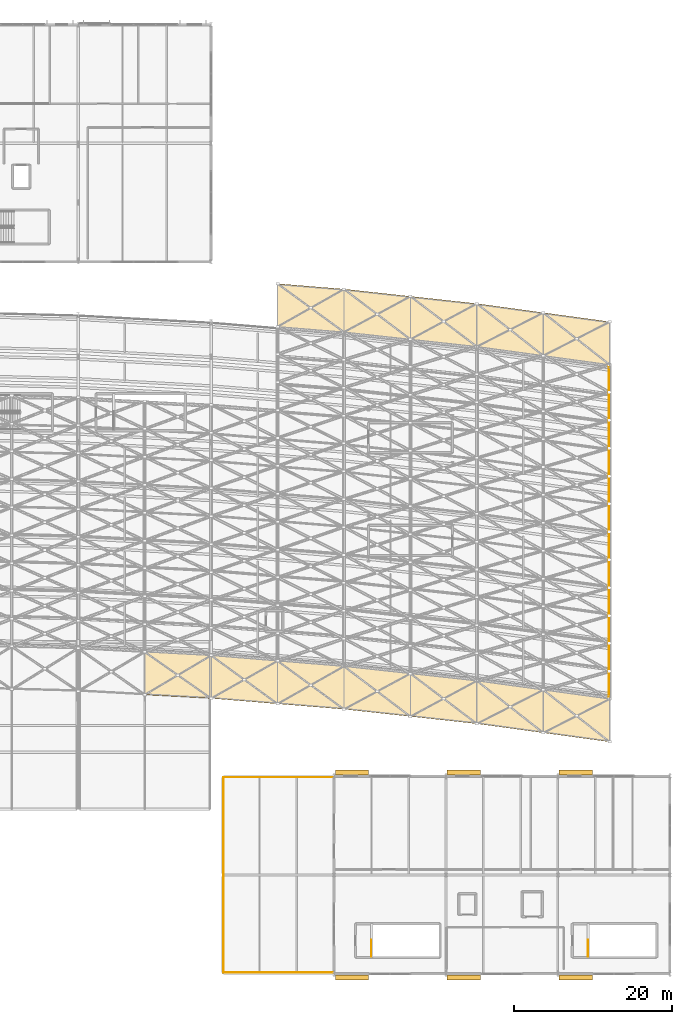
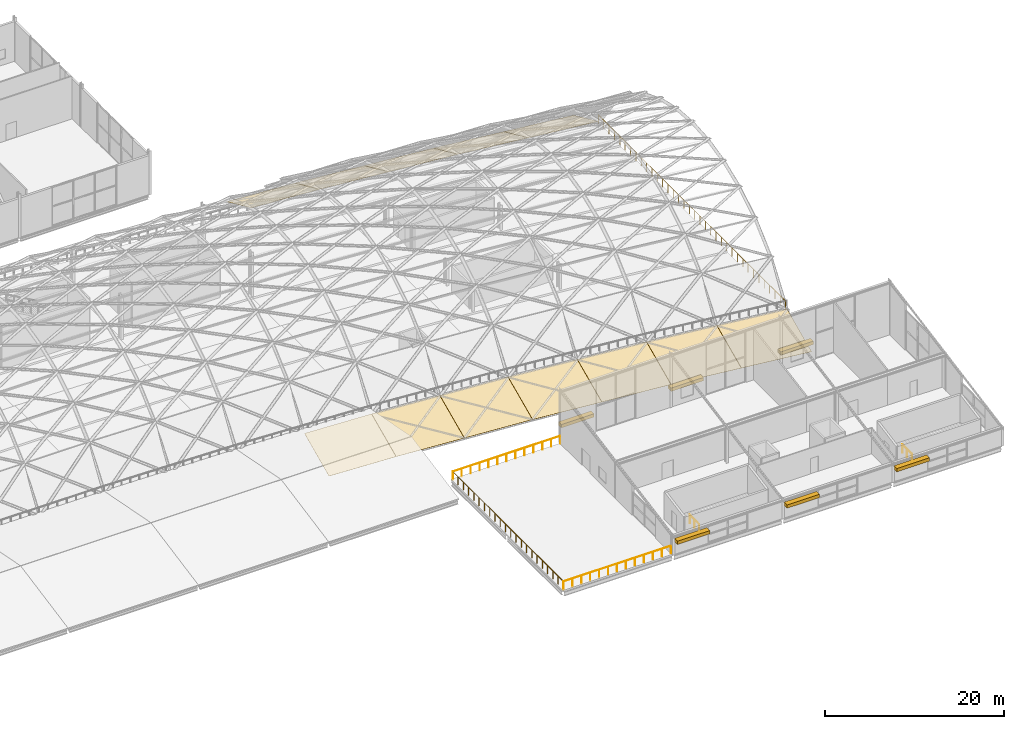
# One storey, part 99 of 100: 12 coverings, 6 railings, 6 shading devices, 4 elements without a shape of their own.
"""IFC4 building model written with IfcOpenShell, lengths in metres."""

from ifc_helpers import new_model, si_unit, direction, frame, origin, origin_2d, place, context, subcontext, project, spatial, polyline, rectangle, circle, outline, extrude, material, layer, layer_set, type_object, element, aggregate, save


model = new_model("IFC4")

# Units and contexts
model_context = context("Model", 3, precision=1e-05, world=origin(), true_north=direction((0.0, 1.0)))
body_context = subcontext(model_context, "Body", "Model", "MODEL_VIEW")
ifc_project = project(units=[si_unit("LENGTHUNIT", "METRE"), si_unit("AREAUNIT", "SQUARE_METRE"), si_unit("VOLUMEUNIT", "CUBIC_METRE"), si_unit("PLANEANGLEUNIT", "RADIAN"), si_unit("MASSUNIT", "GRAM", prefix="KILO")], contexts=[model_context])

# Site, building, storey
site_placement = place(None, origin())
site = spatial("IfcSite", under=ifc_project, at=site_placement, CompositionType="ELEMENT")
building_placement = place(site_placement, origin())
building = spatial("IfcBuilding", under=site, at=building_placement, Name="Kimbaza Rail Terminus", CompositionType="ELEMENT")
storey_placement = place(building_placement, frame((0.0, 0.0, 10.800048828125)))
storey = spatial("IfcBuildingStorey", under=building, at=storey_placement, Name="L02", CompositionType="ELEMENT", Elevation=10.800048828125)

# Roof, covering
ifc_material_1 = material(Name="White painted steel S355", Category="steel")
roof_type = type_object("IfcRoofType", Name="ARC-RF-BARREL", PredefinedType="BARREL_ROOF", material=ifc_material_1)
roof_1_placement = place(storey_placement, origin())
roof_1 = element("IfcRoof", 1, at=roof_1_placement, inside=storey, type_object=roof_type, Name="Train Shed Woven Barrel Vault Roof Bay 08", PredefinedType="BARREL_ROOF")
ifc_material_2 = material(Name="Pearl-white fluoropolymer standing-seam roofing", Category="aluminium")
ifc_layer = layer(ifc_material_2, 0.02490234375)
ifc_layer_set = layer_set([ifc_layer], Name="Pearl-white fluoropolymer standing-seam roofing")
covering_type = type_object("IfcCoveringType", Name="ARC-COV-VAULT", PredefinedType="ROOFING", material=ifc_layer_set)
covering_1_placement = place(storey_placement, frame((147.60498046875, 48.27587890625, -2.377197265625), z_axis=(-0.022474973821, -0.413698420108, 0.910136524238), x_axis=(0.998527549756, -0.054246957324, 0.0)))
covering_1 = element("IfcCovering", 2, at=covering_1_placement, type_object=covering_type, Name="Vault Standing-Seam Eave Roofing Bay 08", PredefinedType="ROOFING", context=body_context, shape_type="SweptSolid", body=[
    extrude(outline(polyline([(0.0, 0.0), (8.402508995172782, -5.551115123125783e-17), (8.104150729891217, 6.034151335982401), (-0.2983582652815654, 6.034151335982401), (0.0, 0.0)])), origin(), (0.0, 0.0, -1.0), 0.02490234375),
])
aggregate(roof_1, [covering_1])

# Roof, coverings
roof_2_placement = place(storey_placement, origin())
roof_2 = element("IfcRoof", 3, at=roof_2_placement, inside=storey, type_object=roof_type, Name="Train Shed Woven Barrel Vault Roof Bay 09", PredefinedType="BARREL_ROOF")
covering_2_placement = place(storey_placement, frame((156.0048828125, 47.820068359375, -2.377197265625), z_axis=(-0.033779955902, -0.413566784659, 0.90984692625), x_axis=(0.996680823009, -0.081408458074, 0.0)))
covering_2 = element("IfcCovering", 4, at=covering_2_placement, type_object=covering_type, Name="Vault Standing-Seam Eave Roofing Bay 09", PredefinedType="ROOFING", context=body_context, shape_type="SweptSolid", body=[
    extrude(outline(polyline([(0.0, 0.0), (8.418077808921636, -1.1102230246251565e-16), (7.970331289512195, 6.0249085515347645), (-0.4477465194094392, 6.024908551534765), (0.0, 0.0)])), origin(), (0.0, 0.0, -1.0), 0.02490234375),
])
covering_3_placement = place(storey_placement, frame((164.405029296875, 47.134765625, -2.377197265625), z_axis=(-0.033768916948, -0.413566939027, 0.909847265859), x_axis=(0.996682983687, -0.081382000647, 0.0)))
covering_3 = element("IfcCovering", 5, at=covering_3_placement, type_object=covering_type, Name="Vault Standing-Seam Eave Roofing Bay 09", PredefinedType="ROOFING", context=body_context, shape_type="SweptSolid", body=[
    extrude(outline(polyline([(0.0, 0.0), (8.417814606496611, 0.0), (7.97021360293957, 6.024919363909756), (-0.44760100355704097, 6.024919363909756), (0.0, 0.0)])), origin(), (0.0, 0.0, -1.0), 0.02490234375),
])
covering_4_placement = place(storey_placement, frame((164.405029296875, 94.757080078125, 0.146484375), z_axis=(0.033768916948, 0.413566939027, 0.909847265859), x_axis=(0.996682983687, -0.081382000647, 0.0)))
covering_4 = element("IfcCovering", 6, at=covering_4_placement, type_object=covering_type, Name="Vault Standing-Seam Eave Roofing Bay 09", PredefinedType="ROOFING", context=body_context, shape_type="SweptSolid", body=[
    extrude(outline(polyline([(0.0, 0.0), (8.417814606496611, 0.0), (7.97021360293957, 6.024919363909756), (-0.44760100355704097, 6.024919363909756), (0.0, 0.0)])), origin(), (0.0, 0.0, -1.0), 0.02490234375),
])
aggregate(roof_2, [covering_2, covering_3, covering_4])

roof_3_placement = place(storey_placement, origin())
roof_3 = element("IfcRoof", 7, at=roof_3_placement, inside=storey, type_object=roof_type, Name="Train Shed Woven Barrel Vault Roof Bay 10", PredefinedType="BARREL_ROOF")
covering_5_placement = place(storey_placement, frame((172.804931640625, 46.44970703125, -2.377197265625), z_axis=(-0.045132008627, -0.413381292239, 0.909438842927), x_axis=(0.994092874093, -0.108532749334, 0.0)))
covering_5 = element("IfcCovering", 8, at=covering_5_placement, type_object=covering_type, Name="Vault Standing-Seam Eave Roofing Bay 10", PredefinedType="ROOFING", context=body_context, shape_type="SweptSolid", body=[
    extrude(outline(polyline([(0.0, 0.0), (8.439992818987536, -1.1102230246251565e-16), (7.8430626976530995, 6.011960947165546), (-0.5969301213344362, 6.011960947165546), (0.0, 0.0)])), origin(), (0.0, 0.0, -1.0), 0.02490234375),
])
covering_6_placement = place(storey_placement, frame((172.804931640625, 94.072021484375, 0.146484375), z_axis=(0.045132008627, 0.413381292239, 0.909438842927), x_axis=(0.994092874093, -0.108532749334, 0.0)))
covering_6 = element("IfcCovering", 9, at=covering_6_placement, type_object=covering_type, Name="Vault Standing-Seam Eave Roofing Bay 10", PredefinedType="ROOFING", context=body_context, shape_type="SweptSolid", body=[
    extrude(outline(polyline([(0.0, 0.0), (8.439992818987536, -1.1102230246251565e-16), (7.8430626976530995, 6.011960947165546), (-0.5969301213344362, 6.011960947165546), (0.0, 0.0)])), origin(), (0.0, 0.0, -1.0), 0.02490234375),
])
covering_7_placement = place(storey_placement, frame((181.205078125, 45.53369140625, -2.377197265625), z_axis=(-0.045121314623, -0.413381492138, 0.909439282704), x_axis=(0.99409565406, -0.108507283526, 0.0)))
covering_7 = element("IfcCovering", 10, at=covering_7_placement, type_object=covering_type, Name="Vault Standing-Seam Eave Roofing Bay 10", PredefinedType="ROOFING", context=body_context, shape_type="SweptSolid", body=[
    extrude(outline(polyline([(0.0, 0.0), (8.439723626047915, 0.0), (7.842933566653391, 6.011974852326637), (-0.5967900593945238, 6.011974852326636), (0.0, 0.0)])), origin(), (0.0, 0.0, -1.0), 0.02490234375),
])
covering_8_placement = place(storey_placement, frame((181.205078125, 93.156005859375, 0.146484375), z_axis=(0.045133319265, 0.413381267737, 0.909438789021), x_axis=(0.994092533341, -0.108535870365, 0.0)))
covering_8 = element("IfcCovering", 11, at=covering_8_placement, type_object=covering_type, Name="Vault Standing-Seam Eave Roofing Bay 10", PredefinedType="ROOFING", context=body_context, shape_type="SweptSolid", body=[
    extrude(outline(polyline([(0.0, 0.0), (8.43975012057354, 0.0), (7.842802833565757, 6.0119592427539), (-0.5969472870077849, 6.0119592427539), (0.0, 0.0)])), origin(), (0.0, 0.0, -1.0), 0.02490234375),
])
aggregate(roof_3, [covering_5, covering_6, covering_7, covering_8])

roof_4_placement = place(storey_placement, origin())
roof_4 = element("IfcRoof", 12, at=roof_4_placement, inside=storey, type_object=roof_type, Name="Train Shed Woven Barrel Vault Roof Bay 11", PredefinedType="BARREL_ROOF")
covering_9_placement = place(storey_placement, frame((189.60498046875, 44.617919921875, -2.377197265625), z_axis=(-0.056574455455, -0.413140190432, 0.908908418951), x_axis=(0.990753872834, -0.135671527834, 0.0)))
covering_9 = element("IfcCovering", 13, at=covering_9_placement, type_object=covering_type, Name="Vault Standing-Seam Eave Roofing Bay 11", PredefinedType="ROOFING", context=body_context, shape_type="SweptSolid", body=[
    extrude(outline(polyline([(0.0, 0.0), (8.468436963816755, 0.0), (7.722243560727767, 5.995264414951728), (-0.7461934030889878, 5.995264414951728), (0.0, 0.0)])), origin(), (0.0, 0.0, -1.0), 0.02490234375),
])
covering_10_placement = place(storey_placement, frame((189.60498046875, 92.239990234375, 0.146484375), z_axis=(0.056562472149, 0.41314047139, 0.908909037057), x_axis=(0.990757747619, -0.135643228847, 0.0)))
covering_10 = element("IfcCovering", 14, at=covering_10_placement, type_object=covering_type, Name="Vault Standing-Seam Eave Roofing Bay 11", PredefinedType="ROOFING", context=body_context, shape_type="SweptSolid", body=[
    extrude(outline(polyline([(0.0, 0.0), (8.468403844339614, 2.220446049250313e-16), (7.722366085682136, 5.995283784997782), (-0.7460377586574786, 5.995283784997782), (0.0, 0.0)])), origin(), (0.0, 0.0, -1.0), 0.02490234375),
])
covering_11_placement = place(storey_placement, frame((198.0048828125, 43.468994140625, -2.377197265625), z_axis=(-0.056562472149, -0.41314047139, 0.908909037057), x_axis=(0.990757747619, -0.135643228847, 0.0)))
covering_11 = element("IfcCovering", 15, at=covering_11_placement, type_object=covering_type, Name="Vault Standing-Seam Eave Roofing Bay 11", PredefinedType="ROOFING", context=body_context, shape_type="SweptSolid", body=[
    extrude(outline(polyline([(0.0, 0.0), (8.468403844339614, 2.220446049250313e-16), (7.722366085682136, 5.995283784997782), (-0.7460377586574786, 5.995283784997782), (0.0, 0.0)])), origin(), (0.0, 0.0, -1.0), 0.02490234375),
])
covering_12_placement = place(storey_placement, frame((198.0048828125, 91.09130859375, 0.146484375), z_axis=(0.056562472149, 0.41314047139, 0.908909037057), x_axis=(0.990757747619, -0.135643228847, 0.0)))
covering_12 = element("IfcCovering", 16, at=covering_12_placement, type_object=covering_type, Name="Vault Standing-Seam Eave Roofing Bay 11", PredefinedType="ROOFING", context=body_context, shape_type="SweptSolid", body=[
    extrude(outline(polyline([(0.0, 0.0), (8.468403844339614, 2.220446049250313e-16), (7.722366085682136, 5.995283784997782), (-0.7460377586574786, 5.995283784997782), (0.0, 0.0)])), origin(), (0.0, 0.0, -1.0), 0.02490234375),
])
aggregate(roof_4, [covering_9, covering_10, covering_11, covering_12])

# Railings
ifc_material_3 = material(Name="Painted galvanised steel platform perimeter guard", Category="steel")
railing_type_1 = type_object("IfcRailingType", Name="ARC-RL-BAL115", PredefinedType="BALUSTRADE", material=ifc_material_3)
railing_1_placement = place(storey_placement, frame((206.300048828125, 47.97607421875, 0.0)))
element("IfcRailing", 17, at=railing_1_placement, inside=storey, type_object=railing_type_1, Name="Viaduct East End Safety Guard", PredefinedType="BALUSTRADE", context=body_context, shape_type="SweptSolid", body=[
    extrude(circle(Radius=0.02392578125, at=origin_2d()), frame((0.0, 0.0, 1.1259765625), z_axis=(0.0, 1.0, 0.0), x_axis=(-1.0, 0.0, 0.0)), (0.0, 0.0, 1.0), 41.7998046875),
    extrude(circle(Radius=0.02099609375, at=origin_2d()), origin(), (0.0, 0.0, 1.0), 1.101806640625),
    extrude(circle(Radius=0.02099609375, at=origin_2d()), frame((0.0, 1.1943359375, 0.0)), (0.0, 0.0, 1.0), 1.101806640625),
    extrude(circle(Radius=0.02099609375, at=origin_2d()), frame((0.0, 2.388671875, 0.0)), (0.0, 0.0, 1.0), 1.101806640625),
    extrude(circle(Radius=0.02099609375, at=origin_2d()), frame((0.0, 3.582763671875, 0.0)), (0.0, 0.0, 1.0), 1.101806640625),
    extrude(circle(Radius=0.02099609375, at=origin_2d()), frame((0.0, 4.777099609375, 0.0)), (0.0, 0.0, 1.0), 1.101806640625),
    extrude(circle(Radius=0.02099609375, at=origin_2d()), frame((0.0, 5.971435546875, 0.0)), (0.0, 0.0, 1.0), 1.101806640625),
    extrude(circle(Radius=0.02099609375, at=origin_2d()), frame((0.0, 7.165771484375, 0.0)), (0.0, 0.0, 1.0), 1.101806640625),
    extrude(circle(Radius=0.02099609375, at=origin_2d()), frame((0.0, 8.35986328125, 0.0)), (0.0, 0.0, 1.0), 1.101806640625),
    extrude(circle(Radius=0.02099609375, at=origin_2d()), frame((0.0, 9.55419921875, 0.0)), (0.0, 0.0, 1.0), 1.101806640625),
    extrude(circle(Radius=0.02099609375, at=origin_2d()), frame((0.0, 10.74853515625, 0.0)), (0.0, 0.0, 1.0), 1.101806640625),
    extrude(circle(Radius=0.02099609375, at=origin_2d()), frame((0.0, 11.94287109375, 0.0)), (0.0, 0.0, 1.0), 1.101806640625),
    extrude(circle(Radius=0.02099609375, at=origin_2d()), frame((0.0, 13.136962890625, 0.0)), (0.0, 0.0, 1.0), 1.101806640625),
    extrude(circle(Radius=0.02099609375, at=origin_2d()), frame((0.0, 14.331298828125, 0.0)), (0.0, 0.0, 1.0), 1.101806640625),
    extrude(circle(Radius=0.02099609375, at=origin_2d()), frame((0.0, 15.525634765625, 0.0)), (0.0, 0.0, 1.0), 1.101806640625),
    extrude(circle(Radius=0.02099609375, at=origin_2d()), frame((0.0, 16.719970703125, 0.0)), (0.0, 0.0, 1.0), 1.101806640625),
    extrude(circle(Radius=0.02099609375, at=origin_2d()), frame((0.0, 17.914306640625, 0.0)), (0.0, 0.0, 1.0), 1.101806640625),
    extrude(circle(Radius=0.02099609375, at=origin_2d()), frame((0.0, 19.1083984375, 0.0)), (0.0, 0.0, 1.0), 1.101806640625),
    extrude(circle(Radius=0.02099609375, at=origin_2d()), frame((0.0, 20.302734375, 0.0)), (0.0, 0.0, 1.0), 1.101806640625),
    extrude(circle(Radius=0.02099609375, at=origin_2d()), frame((0.0, 21.4970703125, 0.0)), (0.0, 0.0, 1.0), 1.101806640625),
    extrude(circle(Radius=0.02099609375, at=origin_2d()), frame((0.0, 22.69140625, 0.0)), (0.0, 0.0, 1.0), 1.101806640625),
    extrude(circle(Radius=0.02099609375, at=origin_2d()), frame((0.0, 23.885498046875, 0.0)), (0.0, 0.0, 1.0), 1.101806640625),
    extrude(circle(Radius=0.02099609375, at=origin_2d()), frame((0.0, 25.079833984375, 0.0)), (0.0, 0.0, 1.0), 1.101806640625),
    extrude(circle(Radius=0.02099609375, at=origin_2d()), frame((0.0, 26.274169921875, 0.0)), (0.0, 0.0, 1.0), 1.101806640625),
    extrude(circle(Radius=0.02099609375, at=origin_2d()), frame((0.0, 27.468505859375, 0.0)), (0.0, 0.0, 1.0), 1.101806640625),
    extrude(circle(Radius=0.02099609375, at=origin_2d()), frame((0.0, 28.662841796875, 0.0)), (0.0, 0.0, 1.0), 1.101806640625),
    extrude(circle(Radius=0.02099609375, at=origin_2d()), frame((0.0, 29.85693359375, 0.0)), (0.0, 0.0, 1.0), 1.101806640625),
    extrude(circle(Radius=0.02099609375, at=origin_2d()), frame((0.0, 31.05126953125, 0.0)), (0.0, 0.0, 1.0), 1.101806640625),
    extrude(circle(Radius=0.02099609375, at=origin_2d()), frame((0.0, 32.24560546875, 0.0)), (0.0, 0.0, 1.0), 1.101806640625),
    extrude(circle(Radius=0.02099609375, at=origin_2d()), frame((0.0, 33.43994140625, 0.0)), (0.0, 0.0, 1.0), 1.101806640625),
    extrude(circle(Radius=0.02099609375, at=origin_2d()), frame((0.0, 34.634033203125, 0.0)), (0.0, 0.0, 1.0), 1.101806640625),
    extrude(circle(Radius=0.02099609375, at=origin_2d()), frame((0.0, 35.828369140625, 0.0)), (0.0, 0.0, 1.0), 1.101806640625),
    extrude(circle(Radius=0.02099609375, at=origin_2d()), frame((0.0, 37.022705078125, 0.0)), (0.0, 0.0, 1.0), 1.101806640625),
    extrude(circle(Radius=0.02099609375, at=origin_2d()), frame((0.0, 38.217041015625, 0.0)), (0.0, 0.0, 1.0), 1.101806640625),
    extrude(circle(Radius=0.02099609375, at=origin_2d()), frame((0.0, 39.4111328125, 0.0)), (0.0, 0.0, 1.0), 1.101806640625),
    extrude(circle(Radius=0.02099609375, at=origin_2d()), frame((0.0, 40.60546875, 0.0)), (0.0, 0.0, 1.0), 1.101806640625),
    extrude(circle(Radius=0.02099609375, at=origin_2d()), frame((0.0, 41.7998046875, 0.0)), (0.0, 0.0, 1.0), 1.101806640625),
])
ifc_material_4 = material(Name="Stainless steel and laminated glass balustrade", Category="steel")
railing_type_2 = type_object("IfcRailingType", Name="ARC-RL-GRD112", PredefinedType="GUARDRAIL", material=ifc_material_4)
railing_2_placement = place(storey_placement, frame((171.39990234375, 13.14990234375, 0.0)))
element("IfcRailing", 18, at=railing_2_placement, inside=storey, type_object=railing_type_2, Name="Safety Balustrade GRD-TERV4-S", PredefinedType="GUARDRAIL", context=body_context, shape_type="SweptSolid", body=[
    extrude(circle(Radius=0.02392578125, at=origin_2d()), frame((0.0, 0.0, 1.09619140625), z_axis=(-1.0, 0.0, 0.0), x_axis=(0.0, -1.0, 0.0)), (0.0, 0.0, 1.0), 13.849853515625),
    extrude(circle(Radius=0.02099609375, at=origin_2d()), origin(), (0.0, 0.0, 1.0), 1.072021484375),
    extrude(circle(Radius=0.02099609375, at=origin_2d()), frame((-1.154052734375, 0.0, 0.0)), (0.0, 0.0, 1.0), 1.072021484375),
    extrude(circle(Radius=0.02099609375, at=origin_2d()), frame((-2.308349609375, 0.0, 0.0)), (0.0, 0.0, 1.0), 1.072021484375),
    extrude(circle(Radius=0.02099609375, at=origin_2d()), frame((-3.46240234375, 0.0, 0.0)), (0.0, 0.0, 1.0), 1.072021484375),
    extrude(circle(Radius=0.02099609375, at=origin_2d()), frame((-4.61669921875, 0.0, 0.0)), (0.0, 0.0, 1.0), 1.072021484375),
    extrude(circle(Radius=0.02099609375, at=origin_2d()), frame((-5.770751953125, 0.0, 0.0)), (0.0, 0.0, 1.0), 1.072021484375),
    extrude(circle(Radius=0.02099609375, at=origin_2d()), frame((-6.9248046875, 0.0, 0.0)), (0.0, 0.0, 1.0), 1.072021484375),
    extrude(circle(Radius=0.02099609375, at=origin_2d()), frame((-8.0791015625, 0.0, 0.0)), (0.0, 0.0, 1.0), 1.072021484375),
    extrude(circle(Radius=0.02099609375, at=origin_2d()), frame((-9.233154296875, 0.0, 0.0)), (0.0, 0.0, 1.0), 1.072021484375),
    extrude(circle(Radius=0.02099609375, at=origin_2d()), frame((-10.387451171875, 0.0, 0.0)), (0.0, 0.0, 1.0), 1.072021484375),
    extrude(circle(Radius=0.02099609375, at=origin_2d()), frame((-11.54150390625, 0.0, 0.0)), (0.0, 0.0, 1.0), 1.072021484375),
    extrude(circle(Radius=0.02099609375, at=origin_2d()), frame((-12.69580078125, 0.0, 0.0)), (0.0, 0.0, 1.0), 1.072021484375),
    extrude(circle(Radius=0.02099609375, at=origin_2d()), frame((-13.849853515625, 0.0, 0.0)), (0.0, 0.0, 1.0), 1.072021484375),
])
railing_3_placement = place(storey_placement, frame((157.550048828125, 13.14990234375, 0.0)))
element("IfcRailing", 19, at=railing_3_placement, inside=storey, type_object=railing_type_2, Name="Safety Balustrade GRD-TERV4-W", PredefinedType="GUARDRAIL", context=body_context, shape_type="SweptSolid", body=[
    extrude(circle(Radius=0.02392578125, at=origin_2d()), frame((0.0, 0.0, 1.09619140625), z_axis=(0.0, 1.0, 0.0), x_axis=(-1.0, 0.0, 0.0)), (0.0, 0.0, 1.0), 24.7001953125),
    extrude(circle(Radius=0.02099609375, at=origin_2d()), origin(), (0.0, 0.0, 1.0), 1.072021484375),
    extrude(circle(Radius=0.02099609375, at=origin_2d()), frame((0.0, 1.17626953125, 0.0)), (0.0, 0.0, 1.0), 1.072021484375),
    extrude(circle(Radius=0.02099609375, at=origin_2d()), frame((0.0, 2.352294921875, 0.0)), (0.0, 0.0, 1.0), 1.072021484375),
    extrude(circle(Radius=0.02099609375, at=origin_2d()), frame((0.0, 3.528564453125, 0.0)), (0.0, 0.0, 1.0), 1.072021484375),
    extrude(circle(Radius=0.02099609375, at=origin_2d()), frame((0.0, 4.704833984375, 0.0)), (0.0, 0.0, 1.0), 1.072021484375),
    extrude(circle(Radius=0.02099609375, at=origin_2d()), frame((0.0, 5.881103515625, 0.0)), (0.0, 0.0, 1.0), 1.072021484375),
    extrude(circle(Radius=0.02099609375, at=origin_2d()), frame((0.0, 7.05712890625, 0.0)), (0.0, 0.0, 1.0), 1.072021484375),
    extrude(circle(Radius=0.02099609375, at=origin_2d()), frame((0.0, 8.2333984375, 0.0)), (0.0, 0.0, 1.0), 1.072021484375),
    extrude(circle(Radius=0.02099609375, at=origin_2d()), frame((0.0, 9.40966796875, 0.0)), (0.0, 0.0, 1.0), 1.072021484375),
    extrude(circle(Radius=0.02099609375, at=origin_2d()), frame((0.0, 10.585693359375, 0.0)), (0.0, 0.0, 1.0), 1.072021484375),
    extrude(circle(Radius=0.02099609375, at=origin_2d()), frame((0.0, 11.761962890625, 0.0)), (0.0, 0.0, 1.0), 1.072021484375),
    extrude(circle(Radius=0.02099609375, at=origin_2d()), frame((0.0, 12.938232421875, 0.0)), (0.0, 0.0, 1.0), 1.072021484375),
    extrude(circle(Radius=0.02099609375, at=origin_2d()), frame((0.0, 14.114501953125, 0.0)), (0.0, 0.0, 1.0), 1.072021484375),
    extrude(circle(Radius=0.02099609375, at=origin_2d()), frame((0.0, 15.29052734375, 0.0)), (0.0, 0.0, 1.0), 1.072021484375),
    extrude(circle(Radius=0.02099609375, at=origin_2d()), frame((0.0, 16.466796875, 0.0)), (0.0, 0.0, 1.0), 1.072021484375),
    extrude(circle(Radius=0.02099609375, at=origin_2d()), frame((0.0, 17.64306640625, 0.0)), (0.0, 0.0, 1.0), 1.072021484375),
    extrude(circle(Radius=0.02099609375, at=origin_2d()), frame((0.0, 18.819091796875, 0.0)), (0.0, 0.0, 1.0), 1.072021484375),
    extrude(circle(Radius=0.02099609375, at=origin_2d()), frame((0.0, 19.995361328125, 0.0)), (0.0, 0.0, 1.0), 1.072021484375),
    extrude(circle(Radius=0.02099609375, at=origin_2d()), frame((0.0, 21.171630859375, 0.0)), (0.0, 0.0, 1.0), 1.072021484375),
    extrude(circle(Radius=0.02099609375, at=origin_2d()), frame((0.0, 22.347900390625, 0.0)), (0.0, 0.0, 1.0), 1.072021484375),
    extrude(circle(Radius=0.02099609375, at=origin_2d()), frame((0.0, 23.52392578125, 0.0)), (0.0, 0.0, 1.0), 1.072021484375),
    extrude(circle(Radius=0.02099609375, at=origin_2d()), frame((0.0, 24.7001953125, 0.0)), (0.0, 0.0, 1.0), 1.072021484375),
])
railing_4_placement = place(storey_placement, frame((157.550048828125, 37.85009765625, 0.0)))
element("IfcRailing", 20, at=railing_4_placement, inside=storey, type_object=railing_type_2, Name="Safety Balustrade GRD-TERV4-N", PredefinedType="GUARDRAIL", context=body_context, shape_type="SweptSolid", body=[
    extrude(circle(Radius=0.02392578125, at=origin_2d()), frame((0.0, 0.0, 1.09619140625), z_axis=(1.0, 0.0, 0.0), x_axis=(0.0, 1.0, 0.0)), (0.0, 0.0, 1.0), 13.849853515625),
    extrude(circle(Radius=0.02099609375, at=origin_2d()), origin(), (0.0, 0.0, 1.0), 1.072021484375),
    extrude(circle(Radius=0.02099609375, at=origin_2d()), frame((1.154052734375, 0.0, 0.0)), (0.0, 0.0, 1.0), 1.072021484375),
    extrude(circle(Radius=0.02099609375, at=origin_2d()), frame((2.308349609375, 0.0, 0.0)), (0.0, 0.0, 1.0), 1.072021484375),
    extrude(circle(Radius=0.02099609375, at=origin_2d()), frame((3.46240234375, 0.0, 0.0)), (0.0, 0.0, 1.0), 1.072021484375),
    extrude(circle(Radius=0.02099609375, at=origin_2d()), frame((4.61669921875, 0.0, 0.0)), (0.0, 0.0, 1.0), 1.072021484375),
    extrude(circle(Radius=0.02099609375, at=origin_2d()), frame((5.770751953125, 0.0, 0.0)), (0.0, 0.0, 1.0), 1.072021484375),
    extrude(circle(Radius=0.02099609375, at=origin_2d()), frame((6.9248046875, 0.0, 0.0)), (0.0, 0.0, 1.0), 1.072021484375),
    extrude(circle(Radius=0.02099609375, at=origin_2d()), frame((8.0791015625, 0.0, 0.0)), (0.0, 0.0, 1.0), 1.072021484375),
    extrude(circle(Radius=0.02099609375, at=origin_2d()), frame((9.233154296875, 0.0, 0.0)), (0.0, 0.0, 1.0), 1.072021484375),
    extrude(circle(Radius=0.02099609375, at=origin_2d()), frame((10.387451171875, 0.0, 0.0)), (0.0, 0.0, 1.0), 1.072021484375),
    extrude(circle(Radius=0.02099609375, at=origin_2d()), frame((11.54150390625, 0.0, 0.0)), (0.0, 0.0, 1.0), 1.072021484375),
    extrude(circle(Radius=0.02099609375, at=origin_2d()), frame((12.69580078125, 0.0, 0.0)), (0.0, 0.0, 1.0), 1.072021484375),
    extrude(circle(Radius=0.02099609375, at=origin_2d()), frame((13.849853515625, 0.0, 0.0)), (0.0, 0.0, 1.0), 1.072021484375),
])
ifc_material_5 = material(Name="Painted tubular steel stair well guard", Category="steel")
railing_type_3 = type_object("IfcRailingType", Name="ARC-RL-STGRD", PredefinedType="GUARDRAIL", material=ifc_material_5)
for number, where, name in (
    (21, (176.25, 15.199951171875, 0.0), "L02 ST-P1 top well guard 1"),
    (22, (203.64990234375, 15.199951171875, 0.0), "L02 ST-P2 top well guard 1"),
):
    element("IfcRailing", number, at=place(storey_placement, frame(where)), inside=storey, type_object=railing_type_3, Name=name, PredefinedType="GUARDRAIL", context=body_context, shape_type="SweptSolid", body=[
        extrude(circle(Radius=0.02392578125, at=origin_2d()), frame((0.0, 0.0, 1.09619140625), z_axis=(0.0, 1.0, 0.0), x_axis=(-1.0, 0.0, 0.0)), (0.0, 0.0, 1.0), 2.10009765625),
        extrude(circle(Radius=0.02099609375, at=origin_2d()), origin(), (0.0, 0.0, 1.0), 1.072021484375),
        extrude(circle(Radius=0.02099609375, at=origin_2d()), frame((0.0, 1.050048828125, 0.0)), (0.0, 0.0, 1.0), 1.072021484375),
        extrude(circle(Radius=0.02099609375, at=origin_2d()), frame((0.0, 2.10009765625, 0.0)), (0.0, 0.0, 1.0), 1.072021484375),
    ])

# Shading devices
ifc_material_6 = material(Name="Perforated champagne anodised aluminium louvre", Category="aluminium")
shading_device_type = type_object("IfcShadingDeviceType", Name="ARC-SHD-LVR1", PredefinedType="JALOUSIE", material=ifc_material_6)
for number, where, z_axis, x_axis, name in (
    (23, (173.800048828125, 38.452880859375, 1.9248046875), (0.0, 0.0, 1.0), (1.0, 0.0, 0.0), "Pavilion Veranda Louvre L02.1"),
    (24, (187.949951171875, 38.452880859375, 1.9248046875), (0.0, 0.0, 1.0), (1.0, 0.0, 0.0), "Pavilion Veranda Louvre L02.2"),
    (25, (202.10009765625, 38.452880859375, 1.9248046875), (0.0, 0.0, 1.0), (1.0, 0.0, 0.0), "Pavilion Veranda Louvre L02.3"),
    (26, (173.800048828125, 12.547119140625, 1.72021484375), (0.0, 0.0, 1.0), (1.0, 0.0, 0.0), "Pavilion Veranda Louvre L02.1"),
    (27, (187.949951171875, 12.547119140625, 1.72021484375), (0.0, 0.0, 1.0), (1.0, 0.0, 0.0), "Pavilion Veranda Louvre L02.2"),
    (28, (202.10009765625, 12.547119140625, 1.72021484375), (0.0, 0.0, 1.0), (1.0, 0.0, 0.0), "Pavilion Veranda Louvre L02.3"),
):
    element("IfcShadingDevice", number, at=place(storey_placement, frame(where, z_axis=z_axis, x_axis=x_axis)), inside=storey, type_object=shading_device_type, Name=name, PredefinedType="JALOUSIE", context=body_context, shape_type="SweptSolid", body=[
        extrude(rectangle(XDim=4.199951171875, YDim=0.64990234375, at=origin_2d()), origin(), (0.0, 0.0, 1.0), 0.449951171875),
    ])

save(model, "model.ifc")
